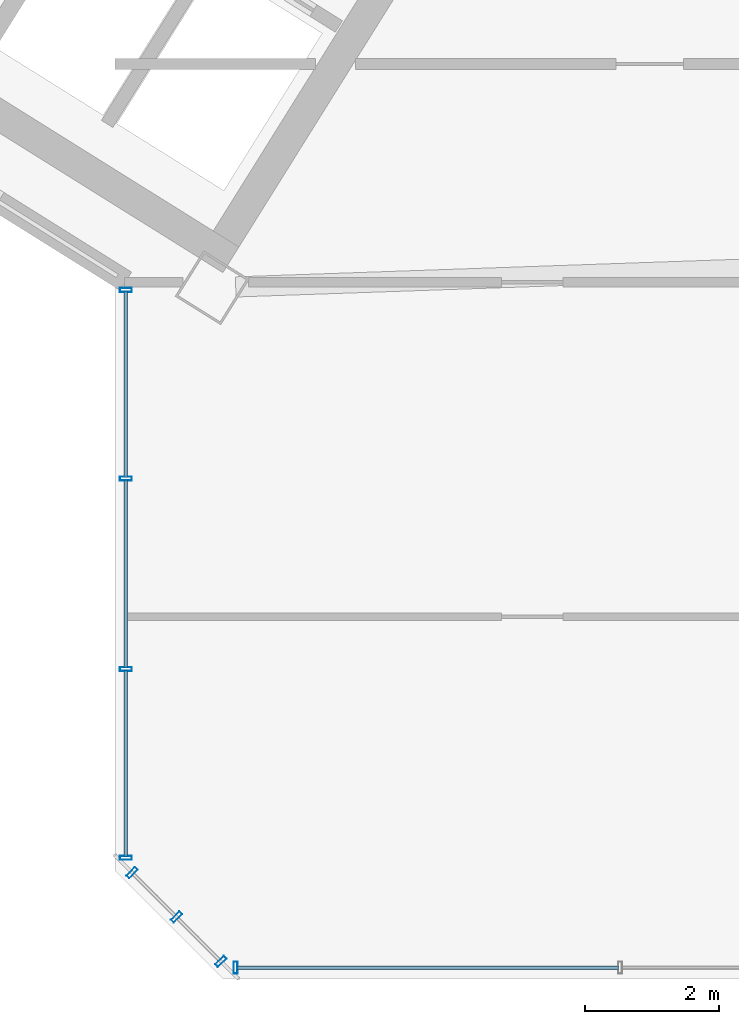
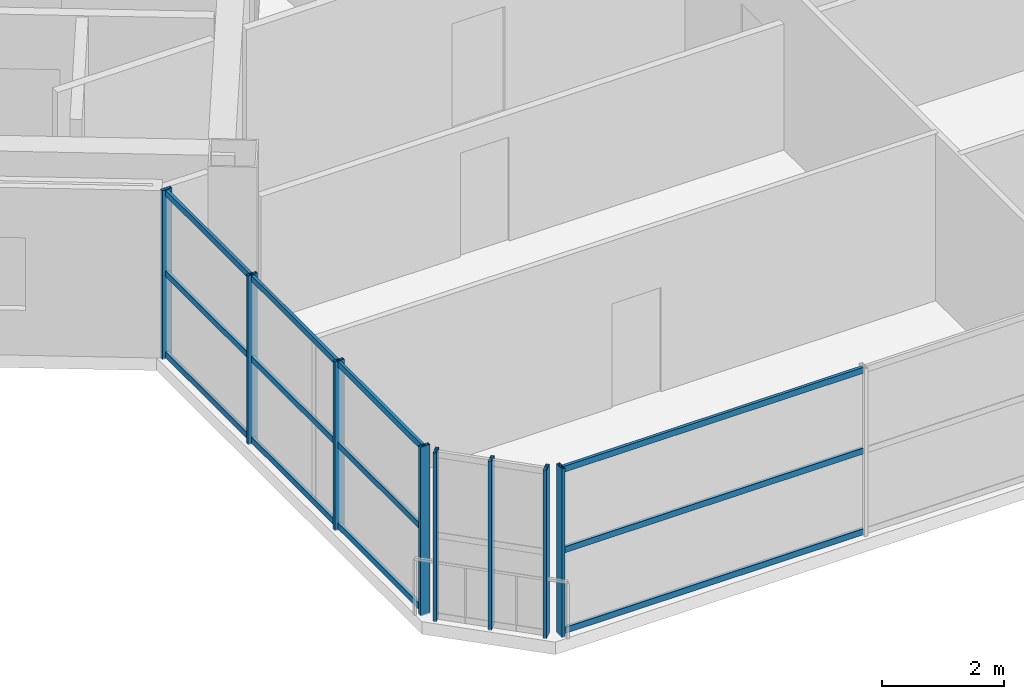
# One storey, part 4 of 21: 20 members, 3 elements without a shape of their own.
"""IFC4 building model written with IfcOpenShell, lengths in metres."""

from ifc_helpers import new_model, si_unit, direction, frame, origin, origin_2d, place, context, subcontext, project, spatial, hollow_rectangle, extrude, source, transform, mapped, material, material_profile, profile_set, type_object, element, aggregate, save


model = new_model("IFC4")

# Units and contexts
model_context = context("Model", 3, precision=1e-05, world=origin(), true_north=direction((0.0, 1.0)))
body_context = subcontext(model_context, "Body", "Model", "MODEL_VIEW")
ifc_project = project(units=[si_unit("LENGTHUNIT", "METRE"), si_unit("AREAUNIT", "SQUARE_METRE"), si_unit("VOLUMEUNIT", "CUBIC_METRE"), si_unit("PLANEANGLEUNIT", "RADIAN"), si_unit("MASSUNIT", "GRAM", prefix="KILO")], contexts=[model_context])

# Site, building, storey
site_placement = place(None, origin())
site = spatial("IfcSite", under=ifc_project, at=site_placement, CompositionType="ELEMENT")
building_placement = place(site_placement, origin())
building = spatial("IfcBuilding", under=site, at=building_placement, Name="Tlacorven Tower", CompositionType="ELEMENT")
storey_placement = place(building_placement, frame((0.0, 0.0, 207.60009765625)))
storey = spatial("IfcBuildingStorey", under=building, at=storey_placement, Name="L52", CompositionType="ELEMENT", Elevation=207.60009765625)

# Curtain wall, members
ifc_material_1 = material(Name="Dark solar low-E double glazing in aluminium frame", Category="aluminium")
curtain_wall_type = type_object("IfcCurtainWallType", Name="CW-TWR-HIGH", PredefinedType="USERDEFINED", material=ifc_material_1)
curtain_wall_1_placement = place(storey_placement, origin())
curtain_wall_1 = element("IfcCurtainWall", 1, at=curtain_wall_1_placement, inside=storey, type_object=curtain_wall_type, Name="L52 CW-TWR-HIGH Curtain Wall 237", ObjectType="UNITISED CURTAIN WALL", PredefinedType="USERDEFINED")
ifc_material_2 = material(Name="Aluminium 6063-T6 anodised", Category="aluminium")
ifc_material_profile_1 = material_profile(ifc_material_2, hollow_rectangle(XDim=0.054931640625, YDim=0.1201171875, WallThickness=0.00341796875, at=origin_2d()), Name="ALU TRANSOM 55X120")
ifc_profile_set_1 = profile_set([ifc_material_profile_1], Name="Aluminium 6063-T6 anodised")
member_type_1 = type_object("IfcMemberType", Name="CWT-03", PredefinedType="USERDEFINED", material=ifc_profile_set_1)
shared_shape_1 = source(origin(), body_context, "Body", "SweptSolid", [
    extrude(hollow_rectangle(XDim=0.054931640625, YDim=0.1201171875, WallThickness=0.00341796875, at=origin_2d()), origin(), (0.0, 0.0, 1.0), 5.689697265625),
])
member_1_placement = place(storey_placement, frame((39.10400390625, 1.9599609375, 0.059814453125), z_axis=(-1.0, 0.0, 0.0), x_axis=(0.0, -1.0, 0.0)))
member_1 = element("IfcMember", 2, at=member_1_placement, type_object=member_type_1, Name="CW-L52-237 Transom 7", ObjectType="TRANSOM", PredefinedType="USERDEFINED", context=body_context, shape_type="MappedRepresentation", body=[
    mapped(shared_shape_1, transform((0.0, 0.0, 0.0), scale=1.0)),
])
member_2_placement = place(storey_placement, frame((39.10400390625, 1.9599609375, 1.6748046875), z_axis=(-1.0, 0.0, 0.0), x_axis=(0.0, -1.0, 0.0)))
member_2 = element("IfcMember", 3, at=member_2_placement, type_object=member_type_1, Name="CW-L52-237 Transom 8", ObjectType="TRANSOM", PredefinedType="USERDEFINED", context=body_context, shape_type="MappedRepresentation", body=[
    mapped(shared_shape_1, transform((0.0, 0.0, 0.0), scale=1.0)),
])
member_3_placement = place(storey_placement, frame((39.10400390625, 1.9599609375, 3.289794921875), z_axis=(-1.0, 0.0, 0.0), x_axis=(0.0, -1.0, 0.0)))
member_3 = element("IfcMember", 4, at=member_3_placement, type_object=member_type_1, Name="CW-L52-237 Transom 9", ObjectType="TRANSOM", PredefinedType="USERDEFINED", context=body_context, shape_type="MappedRepresentation", body=[
    mapped(shared_shape_1, transform((0.0, 0.0, 0.0), scale=1.0)),
])

curtain_wall_2_placement = place(storey_placement, origin())
curtain_wall_2 = element("IfcCurtainWall", 5, at=curtain_wall_2_placement, inside=storey, type_object=curtain_wall_type, Name="L52 CW-TWR-HIGH Curtain Wall 239", ObjectType="UNITISED CURTAIN WALL", PredefinedType="USERDEFINED")
shared_shape_2 = source(origin(), body_context, "Body", "SweptSolid", [
    extrude(hollow_rectangle(XDim=0.054931640625, YDim=0.1201171875, WallThickness=0.00341796875, at=origin_2d()), origin(), (0.0, 0.0, 1.0), 2.77294921875),
])
member_4_placement = place(storey_placement, frame((31.760009765625, 3.6142578125, 0.059814453125), z_axis=(0.0, 1.0, 0.0), x_axis=(-1.0, 0.0, 0.0)))
member_4 = element("IfcMember", 6, at=member_4_placement, type_object=member_type_1, Name="CW-L52-239 Transom 1", ObjectType="TRANSOM", PredefinedType="USERDEFINED", context=body_context, shape_type="MappedRepresentation", body=[
    mapped(shared_shape_2, transform((0.0, 0.0, 0.0), scale=1.0)),
])
member_5_placement = place(storey_placement, frame((31.760009765625, 3.6142578125, 1.6748046875), z_axis=(0.0, 1.0, 0.0), x_axis=(-1.0, 0.0, 0.0)))
member_5 = element("IfcMember", 7, at=member_5_placement, type_object=member_type_1, Name="CW-L52-239 Transom 2", ObjectType="TRANSOM", PredefinedType="USERDEFINED", context=body_context, shape_type="MappedRepresentation", body=[
    mapped(shared_shape_2, transform((0.0, 0.0, 0.0), scale=1.0)),
])
member_6_placement = place(storey_placement, frame((31.760009765625, 3.6142578125, 3.289794921875), z_axis=(0.0, 1.0, 0.0), x_axis=(-1.0, 0.0, 0.0)))
member_6 = element("IfcMember", 8, at=member_6_placement, type_object=member_type_1, Name="CW-L52-239 Transom 3", ObjectType="TRANSOM", PredefinedType="USERDEFINED", context=body_context, shape_type="MappedRepresentation", body=[
    mapped(shared_shape_2, transform((0.0, 0.0, 0.0), scale=1.0)),
])
member_7_placement = place(storey_placement, frame((31.760009765625, 9.26220703125, 0.059814453125), z_axis=(0.0, 1.0, 0.0), x_axis=(-1.0, 0.0, 0.0)))
member_7 = element("IfcMember", 9, at=member_7_placement, type_object=member_type_1, Name="CW-L52-239 Transom 7", ObjectType="TRANSOM", PredefinedType="USERDEFINED", context=body_context, shape_type="MappedRepresentation", body=[
    mapped(shared_shape_2, transform((0.0, 0.0, 0.0), scale=1.0)),
])
member_8_placement = place(storey_placement, frame((31.760009765625, 9.26220703125, 1.6748046875), z_axis=(0.0, 1.0, 0.0), x_axis=(-1.0, 0.0, 0.0)))
member_8 = element("IfcMember", 10, at=member_8_placement, type_object=member_type_1, Name="CW-L52-239 Transom 8", ObjectType="TRANSOM", PredefinedType="USERDEFINED", context=body_context, shape_type="MappedRepresentation", body=[
    mapped(shared_shape_2, transform((0.0, 0.0, 0.0), scale=1.0)),
])
member_9_placement = place(storey_placement, frame((31.760009765625, 9.26220703125, 3.289794921875), z_axis=(0.0, 1.0, 0.0), x_axis=(-1.0, 0.0, 0.0)))
member_9 = element("IfcMember", 11, at=member_9_placement, type_object=member_type_1, Name="CW-L52-239 Transom 9", ObjectType="TRANSOM", PredefinedType="USERDEFINED", context=body_context, shape_type="MappedRepresentation", body=[
    mapped(shared_shape_2, transform((0.0, 0.0, 0.0), scale=1.0)),
])
shared_shape_3 = source(origin(), body_context, "Body", "SweptSolid", [
    extrude(hollow_rectangle(XDim=0.054931640625, YDim=0.1201171875, WallThickness=0.00341796875, at=origin_2d()), origin(), (0.0, 0.0, 1.0), 2.802978515625),
])
member_10_placement = place(storey_placement, frame((31.760009765625, 6.423095703125, 0.059814453125), z_axis=(0.0, 1.0, 0.0), x_axis=(-1.0, 0.0, 0.0)))
member_10 = element("IfcMember", 12, at=member_10_placement, type_object=member_type_1, Name="CW-L52-239 Transom 4", ObjectType="TRANSOM", PredefinedType="USERDEFINED", context=body_context, shape_type="MappedRepresentation", body=[
    mapped(shared_shape_3, transform((0.0, 0.0, 0.0), scale=1.0)),
])
member_11_placement = place(storey_placement, frame((31.760009765625, 6.423095703125, 1.6748046875), z_axis=(0.0, 1.0, 0.0), x_axis=(-1.0, 0.0, 0.0)))
member_11 = element("IfcMember", 13, at=member_11_placement, type_object=member_type_1, Name="CW-L52-239 Transom 5", ObjectType="TRANSOM", PredefinedType="USERDEFINED", context=body_context, shape_type="MappedRepresentation", body=[
    mapped(shared_shape_3, transform((0.0, 0.0, 0.0), scale=1.0)),
])
member_12_placement = place(storey_placement, frame((31.760009765625, 6.423095703125, 3.289794921875), z_axis=(0.0, 1.0, 0.0), x_axis=(-1.0, 0.0, 0.0)))
member_12 = element("IfcMember", 14, at=member_12_placement, type_object=member_type_1, Name="CW-L52-239 Transom 6", ObjectType="TRANSOM", PredefinedType="USERDEFINED", context=body_context, shape_type="MappedRepresentation", body=[
    mapped(shared_shape_3, transform((0.0, 0.0, 0.0), scale=1.0)),
])

# Member
ifc_material_profile_2 = material_profile(ifc_material_2, hollow_rectangle(XDim=0.06005859375, YDim=0.179931640625, WallThickness=0.00390625, at=origin_2d()), Name="ALU MULLION 60X180")
ifc_profile_set_2 = profile_set([ifc_material_profile_2], Name="Aluminium 6063-T6 anodised")
member_type_2 = type_object("IfcMemberType", Name="CWM-03", PredefinedType="MULLION", material=ifc_profile_set_2)
shared_shape_4 = source(origin(), body_context, "Body", "SweptSolid", [
    extrude(hollow_rectangle(XDim=0.06005859375, YDim=0.179931640625, WallThickness=0.00390625, at=origin_2d()), origin(), (0.0, 0.0, 1.0), 3.3798828125),
])
member_13_placement = place(storey_placement, frame((33.396240234375, 1.9599609375, -0.02001953125), z_axis=(0.0, 0.0, 1.0), x_axis=(-1.0, 0.0, 0.0)))
member_13 = element("IfcMember", 15, at=member_13_placement, type_object=member_type_2, Name="CW-L52-237 Mullion 4", PredefinedType="MULLION", context=body_context, shape_type="MappedRepresentation", body=[
    mapped(shared_shape_4, transform((0.0, 0.0, 0.0), scale=1.0)),
])

aggregate(curtain_wall_1, [member_13, member_1, member_2, member_3])

# Curtain wall, members
curtain_wall_3_placement = place(storey_placement, origin())
curtain_wall_3 = element("IfcCurtainWall", 16, at=curtain_wall_3_placement, inside=storey, type_object=curtain_wall_type, Name="L52 CW-TWR-HIGH Curtain Wall 238", ObjectType="UNITISED CURTAIN WALL", PredefinedType="USERDEFINED")
member_14_placement = place(storey_placement, frame((33.17431640625, 2.052001953125, -0.02001953125), z_axis=(0.0, 0.0, 1.0), x_axis=(-0.707106781187, 0.707106781187, 0.0)))
member_14 = element("IfcMember", 17, at=member_14_placement, type_object=member_type_2, Name="CW-L52-238 Mullion 1", PredefinedType="MULLION", context=body_context, shape_type="MappedRepresentation", body=[
    mapped(shared_shape_4, transform((0.0, 0.0, 0.0), scale=1.0)),
])
member_15_placement = place(storey_placement, frame((32.51318359375, 2.713134765625, -0.02001953125), z_axis=(0.0, 0.0, 1.0), x_axis=(-0.707106781187, 0.707106781187, 0.0)))
member_15 = element("IfcMember", 18, at=member_15_placement, type_object=member_type_2, Name="CW-L52-238 Mullion 2", PredefinedType="MULLION", context=body_context, shape_type="MappedRepresentation", body=[
    mapped(shared_shape_4, transform((0.0, 0.0, 0.0), scale=1.0)),
])
member_16_placement = place(storey_placement, frame((31.851806640625, 3.374267578125, -0.02001953125), z_axis=(0.0, 0.0, 1.0), x_axis=(-0.707106781187, 0.707106781187, 0.0)))
member_16 = element("IfcMember", 19, at=member_16_placement, type_object=member_type_2, Name="CW-L52-238 Mullion 3", PredefinedType="MULLION", context=body_context, shape_type="MappedRepresentation", body=[
    mapped(shared_shape_4, transform((0.0, 0.0, 0.0), scale=1.0)),
])
aggregate(curtain_wall_3, [member_14, member_15, member_16])

# Member
member_17_placement = place(storey_placement, frame((31.760009765625, 3.59619140625, -0.02001953125), z_axis=(0.0, 0.0, 1.0), x_axis=(0.0, 1.0, 0.0)))
member_17 = element("IfcMember", 20, at=member_17_placement, type_object=member_type_2, Name="CW-L52-239 Mullion 1", PredefinedType="MULLION", context=body_context, shape_type="MappedRepresentation", body=[
    mapped(shared_shape_4, transform((0.0, 0.0, 0.0), scale=1.0)),
])

member_18_placement = place(storey_placement, frame((31.760009765625, 6.4052734375, -0.02001953125), z_axis=(0.0, 0.0, 1.0), x_axis=(0.0, 1.0, 0.0)))
member_18 = element("IfcMember", 21, at=member_18_placement, type_object=member_type_2, Name="CW-L52-239 Mullion 2", PredefinedType="MULLION", context=body_context, shape_type="MappedRepresentation", body=[
    mapped(shared_shape_4, transform((0.0, 0.0, 0.0), scale=1.0)),
])

member_19_placement = place(storey_placement, frame((31.760009765625, 9.244140625, -0.02001953125), z_axis=(0.0, 0.0, 1.0), x_axis=(0.0, 1.0, 0.0)))
member_19 = element("IfcMember", 22, at=member_19_placement, type_object=member_type_2, Name="CW-L52-239 Mullion 3", PredefinedType="MULLION", context=body_context, shape_type="MappedRepresentation", body=[
    mapped(shared_shape_4, transform((0.0, 0.0, 0.0), scale=1.0)),
])

member_20_placement = place(storey_placement, frame((31.760009765625, 12.052978515625, -0.02001953125), z_axis=(0.0, 0.0, 1.0), x_axis=(0.0, 1.0, 0.0)))
member_20 = element("IfcMember", 23, at=member_20_placement, type_object=member_type_2, Name="CW-L52-239 Mullion 4", PredefinedType="MULLION", context=body_context, shape_type="MappedRepresentation", body=[
    mapped(shared_shape_4, transform((0.0, 0.0, 0.0), scale=1.0)),
])

aggregate(curtain_wall_2, [member_17, member_18, member_19, member_20, member_4, member_5, member_6, member_10, member_11, member_12, member_7, member_8, member_9])

save(model, "model.ifc")
